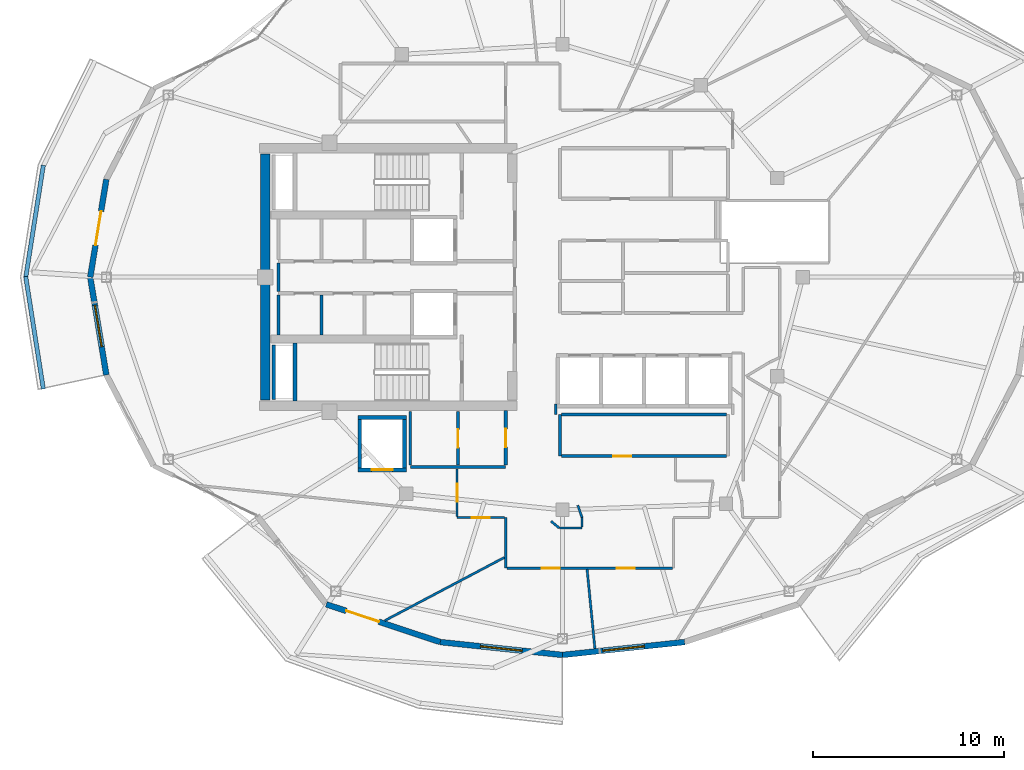
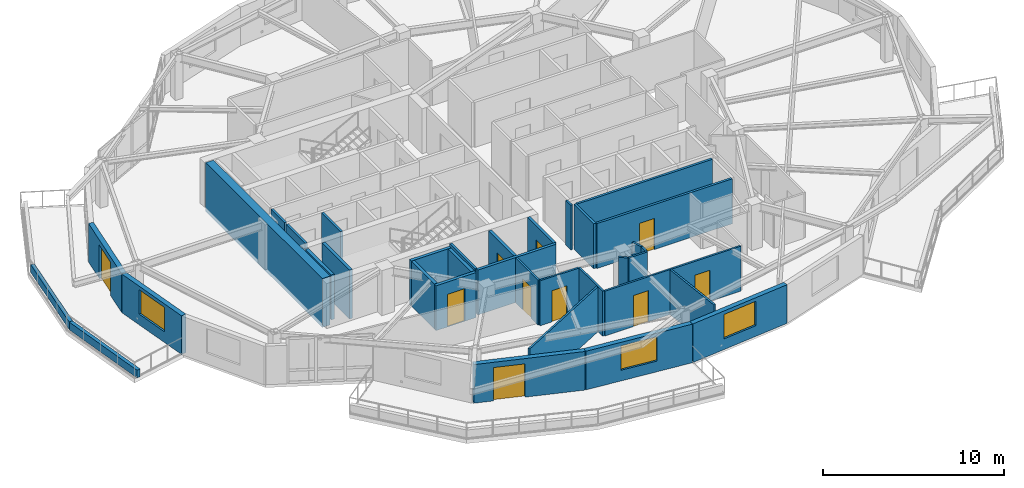
# One storey, part 6 of 14: 35 walls, 10 doors, 3 windows, 13 openings.
"""IFC4 building model written with IfcOpenShell, lengths in metres."""

from ifc_helpers import new_model, si_unit, direction, frame, frame_2d, origin, place, context, subcontext, project, spatial, rectangle, extrude, material, layer, layer_set, type_object, element, fill, save


model = new_model("IFC4")

# Units and contexts
model_context = context("Model", 3, precision=1e-05, world=origin(), true_north=direction((0.0, 1.0)))
body_context = subcontext(model_context, "Body", "Model", "MODEL_VIEW")
ifc_project = project(units=[si_unit("LENGTHUNIT", "METRE"), si_unit("AREAUNIT", "SQUARE_METRE"), si_unit("VOLUMEUNIT", "CUBIC_METRE"), si_unit("PLANEANGLEUNIT", "RADIAN"), si_unit("MASSUNIT", "GRAM", prefix="KILO")], contexts=[model_context])

# Site, building, storey
site_placement = place(None, origin())
site = spatial("IfcSite", under=ifc_project, at=site_placement, CompositionType="ELEMENT")
building_placement = place(site_placement, origin())
building = spatial("IfcBuilding", under=site, at=building_placement, Name="Kolvaren Gate Tower and Convention Centre", CompositionType="ELEMENT")
storey_placement = place(building_placement, frame((0.0, 0.0, 206.300048828125)))
storey = spatial("IfcBuildingStorey", under=building, at=storey_placement, Name="L54", CompositionType="ELEMENT", Elevation=206.300048828125)

# Wall
ifc_material_1 = material(Name="Autoclaved Aerated Masonry Blockwork Class 4 (4.0 MPa)", Category="masonry")
ifc_layer_1 = layer(ifc_material_1, 0.179931640625)
ifc_layer_set_1 = layer_set([ifc_layer_1], Name="Autoclaved Aerated Masonry Blockwork Class 4 (4.0 MPa)")
wall_type_1 = type_object("IfcWallType", Name="ARCH-WL-COMP-180", PredefinedType="SOLIDWALL", material=ifc_layer_set_1)
wall_1_placement = place(storey_placement, frame((22.14990234375, 17.050048828125, 0.0), z_axis=(0.0, 0.0, 1.0), x_axis=(1.0, 0.0, 0.0)))
element("IfcWall", 1, at=wall_1_placement, inside=storey, type_object=wall_type_1, Name="Interior Partition WL-L54-INT-011", PredefinedType="SOLIDWALL", context=body_context, shape_type="SweptSolid", body=[
    extrude(rectangle(XDim=5.0, YDim=0.179931640625, at=frame_2d((2.5, 0.0))), origin(), (0.0, 0.0, 1.0), 3.030029296875),
])

# Wall, opening, door
wall_2_placement = place(storey_placement, frame((24.64990234375, 17.14208984375, 0.0), z_axis=(0.0, 0.0, 1.0), x_axis=(0.0, 1.0, 0.0)))
wall_2 = element("IfcWall", 2, at=wall_2_placement, inside=storey, type_object=wall_type_1, Name="Interior Partition WL-L54-INT-013", PredefinedType="SOLIDWALL", context=body_context, shape_type="SweptSolid", body=[
    extrude(rectangle(XDim=2.807861328125, YDim=0.179931640625, at=frame_2d((1.40380859375, 0.0))), origin(), (0.0, 0.0, 1.0), 3.030029296875),
])
opening_1_placement = place(wall_2_placement, frame((0.928955078125, 0.0, 0.0)))
opening_1 = element("IfcOpeningElement", 3, at=opening_1_placement, cuts=wall_2, Name="Opening DR-01", PredefinedType="OPENING", context=body_context, shape_type="SweptSolid", body=[
    extrude(rectangle(XDim=0.949951171875, YDim=2.10009765625, at=frame_2d((0.47509765625, 1.050048828125))), frame((0.0, 0.099853515625, 0.0), z_axis=(0.0, -1.0, 0.0), x_axis=(1.0, 0.0, 0.0)), (0.0, 0.0, 1.0), 0.199951171875),
])
ifc_material_2 = material(Name="Painted Architectural Steelwork ASTM A500 Grade C 345 MPa", Category="steel")
door_type_1 = type_object("IfcDoorType", Name="ARCH-DR-RISER-950", OperationType="SINGLE_SWING_RIGHT", PredefinedType="DOOR", material=ifc_material_2)
door_1_placement = place(opening_1_placement, origin())
door_1 = element("IfcDoor", 4, at=door_1_placement, inside=storey, type_object=door_type_1, Name="West Valet Store Door", OperationType="SINGLE_SWING_LEFT", OverallHeight=2.10009765625, OverallWidth=0.949951171875, PredefinedType="DOOR", context=body_context, shape_type="SweptSolid", body=[
    extrude(rectangle(XDim=0.949951171875, YDim=2.10009765625, at=frame_2d((0.47509765625, 1.050048828125))), frame((0.0, 0.02490234375, 0.0), z_axis=(0.0, -1.0, 0.0), x_axis=(1.0, 0.0, 0.0)), (0.0, 0.0, 1.0), 0.050048828125),
])
fill(opening_1, door_1)

wall_3_placement = place(storey_placement, frame((27.14990234375, 17.14208984375, 0.0), z_axis=(0.0, 0.0, 1.0), x_axis=(0.0, 1.0, 0.0)))
wall_3 = element("IfcWall", 5, at=wall_3_placement, inside=storey, type_object=wall_type_1, Name="Interior Partition WL-L54-INT-015", PredefinedType="SOLIDWALL", context=body_context, shape_type="SweptSolid", body=[
    extrude(rectangle(XDim=2.85595703125, YDim=0.179931640625, at=frame_2d((1.427978515625, 0.0))), origin(), (0.0, 0.0, 1.0), 3.030029296875),
])
opening_2_placement = place(wall_3_placement, frame((0.952880859375, 0.0, 0.0)))
opening_2 = element("IfcOpeningElement", 6, at=opening_2_placement, cuts=wall_3, Name="Opening DR-01", PredefinedType="OPENING", context=body_context, shape_type="SweptSolid", body=[
    extrude(rectangle(XDim=0.949951171875, YDim=2.10009765625, at=frame_2d((0.47509765625, 1.050048828125))), frame((0.0, 0.099853515625, 0.0), z_axis=(0.0, -1.0, 0.0), x_axis=(1.0, 0.0, 0.0)), (0.0, 0.0, 1.0), 0.199951171875),
])
door_2_placement = place(opening_2_placement, origin())
door_2 = element("IfcDoor", 7, at=door_2_placement, inside=storey, type_object=door_type_1, Name="Metering Switch Room Door", OperationType="SINGLE_SWING_LEFT", OverallHeight=2.10009765625, OverallWidth=0.949951171875, PredefinedType="DOOR", context=body_context, shape_type="SweptSolid", body=[
    extrude(rectangle(XDim=0.949951171875, YDim=2.10009765625, at=frame_2d((0.47509765625, 1.050048828125))), frame((0.0, 0.02490234375, 0.0), z_axis=(0.0, -1.0, 0.0), x_axis=(1.0, 0.0, 0.0)), (0.0, 0.0, 1.0), 0.050048828125),
])
fill(opening_2, door_2)

# Wall
ifc_material_3 = material(Name="Fire-Rated Acoustic Gypsum Stud Partition", Category="gypsum")
ifc_layer_2 = layer(ifc_material_3, 0.1201171875)
ifc_layer_set_2 = layer_set([ifc_layer_2], Name="Fire-Rated Acoustic Gypsum Stud Partition")
wall_type_2 = type_object("IfcWallType", Name="ARCH-WL-PART-120", PredefinedType="PARTITIONING", material=ifc_layer_set_2)
wall_4_placement = place(storey_placement, frame((27.14990234375, 11.75, 0.0), z_axis=(0.0, 0.0, 1.0), x_axis=(0.0, 1.0, 0.0)))
element("IfcWall", 8, at=wall_4_placement, inside=storey, type_object=wall_type_2, Name="Interior Partition WL-L54-INT-014", PredefinedType="PARTITIONING", context=body_context, shape_type="SweptSolid", body=[
    extrude(rectangle(XDim=2.64990234375, YDim=0.1201171875, at=frame_2d((1.324951171875, 0.0))), origin(), (0.0, 0.0, 1.0), 3.030029296875),
])

# Wall, opening, door
wall_5_placement = place(storey_placement, frame((24.60009765625, 14.39990234375, 0.0), z_axis=(0.0, 0.0, 1.0), x_axis=(1.0, 0.0, 0.0)))
wall_5 = element("IfcWall", 9, at=wall_5_placement, inside=storey, type_object=wall_type_2, Name="Interior Partition WL-L54-INT-050", PredefinedType="PARTITIONING", context=body_context, shape_type="SweptSolid", body=[
    extrude(rectangle(XDim=2.48779296875, YDim=0.1201171875, at=frame_2d((1.243896484375, 0.0))), origin(), (0.0, 0.0, 1.0), 3.030029296875),
])
opening_3_placement = place(wall_5_placement, frame((0.76904296875, 0.0, 0.0)))
opening_3 = element("IfcOpeningElement", 10, at=opening_3_placement, cuts=wall_5, Name="Opening DR-01", PredefinedType="OPENING", context=body_context, shape_type="SweptSolid", body=[
    extrude(rectangle(XDim=0.949951171875, YDim=2.10009765625, at=frame_2d((0.47509765625, 1.050048828125))), frame((0.0, 0.070068359375, 0.0), z_axis=(0.0, -1.0, 0.0), x_axis=(1.0, 0.0, 0.0)), (0.0, 0.0, 1.0), 0.14013671875),
])
door_3_placement = place(opening_3_placement, origin())
door_3 = element("IfcDoor", 11, at=door_3_placement, inside=storey, type_object=door_type_1, Name="Resident Co-Working Office Door", OperationType="SINGLE_SWING_RIGHT", OverallHeight=2.10009765625, OverallWidth=0.949951171875, PredefinedType="DOOR", context=body_context, shape_type="SweptSolid", body=[
    extrude(rectangle(XDim=0.949951171875, YDim=2.10009765625, at=frame_2d((0.47509765625, 1.050048828125))), frame((0.0, 0.02490234375, 0.0), z_axis=(0.0, -1.0, 0.0), x_axis=(1.0, 0.0, 0.0)), (0.0, 0.0, 1.0), 0.050048828125),
])
fill(opening_3, door_3)

# Wall
wall_6_placement = place(storey_placement, frame((29.780029296875, 19.800048828125, 0.0), z_axis=(0.0, 0.0, 1.0), x_axis=(0.0, 1.0, 0.0)))
element("IfcWall", 12, at=wall_6_placement, inside=storey, type_object=wall_type_2, Name="Interior Partition WL-L54-INT-056", PredefinedType="PARTITIONING", context=body_context, shape_type="SweptSolid", body=[
    extrude(rectangle(XDim=0.56005859375, YDim=0.1201171875, at=frame_2d((0.280029296875, 0.0))), origin(), (0.0, 0.0, 1.0), 3.030029296875),
])

# Wall, openings, doors
wall_7_placement = place(storey_placement, frame((27.2119140625, 11.75, 0.0), z_axis=(0.0, 0.0, 1.0), x_axis=(1.0, 0.0, 0.0)))
wall_7 = element("IfcWall", 13, at=wall_7_placement, inside=storey, type_object=wall_type_2, Name="Interior Partition WL-L54-INT-062", PredefinedType="PARTITIONING", context=body_context, shape_type="SweptSolid", body=[
    extrude(rectangle(XDim=8.676025390625, YDim=0.1201171875, at=frame_2d((4.337890625, 0.0))), origin(), (0.0, 0.0, 1.0), 3.030029296875),
])
opening_4_placement = place(wall_7_placement, frame((1.830078125, 0.0, 0.0)))
opening_4 = element("IfcOpeningElement", 14, at=opening_4_placement, cuts=wall_7, Name="Opening DR-01", PredefinedType="OPENING", context=body_context, shape_type="SweptSolid", body=[
    extrude(rectangle(XDim=0.949951171875, YDim=2.10009765625, at=frame_2d((0.47509765625, 1.050048828125))), frame((0.0, 0.070068359375, 0.0), z_axis=(0.0, -1.0, 0.0), x_axis=(1.0, 0.0, 0.0)), (0.0, 0.0, 1.0), 0.14013671875),
])
opening_5_placement = place(wall_7_placement, frame((5.7568359375, 0.0, 0.0)))
opening_5 = element("IfcOpeningElement", 15, at=opening_5_placement, cuts=wall_7, Name="Opening DR-01", PredefinedType="OPENING", context=body_context, shape_type="SweptSolid", body=[
    extrude(rectangle(XDim=0.949951171875, YDim=2.10009765625, at=frame_2d((0.47509765625, 1.050048828125))), frame((0.0, 0.070068359375, 0.0), z_axis=(0.0, -1.0, 0.0), x_axis=(1.0, 0.0, 0.0)), (0.0, 0.0, 1.0), 0.14013671875),
])
door_4_placement = place(opening_4_placement, origin())
door_4 = element("IfcDoor", 16, at=door_4_placement, inside=storey, type_object=door_type_1, Name="Resident Co-Working Office Door", OperationType="SINGLE_SWING_LEFT", OverallHeight=2.10009765625, OverallWidth=0.949951171875, PredefinedType="DOOR", context=body_context, shape_type="SweptSolid", body=[
    extrude(rectangle(XDim=0.949951171875, YDim=2.10009765625, at=frame_2d((0.47509765625, 1.050048828125))), frame((0.0, 0.02490234375, 0.0), z_axis=(0.0, -1.0, 0.0), x_axis=(1.0, 0.0, 0.0)), (0.0, 0.0, 1.0), 0.050048828125),
])
fill(opening_4, door_4)
door_5_placement = place(opening_5_placement, origin())
door_5 = element("IfcDoor", 17, at=door_5_placement, inside=storey, type_object=door_type_1, Name="Resident Co-Working Office Door", OperationType="SINGLE_SWING_RIGHT", OverallHeight=2.10009765625, OverallWidth=0.949951171875, PredefinedType="DOOR", context=body_context, shape_type="SweptSolid", body=[
    extrude(rectangle(XDim=0.949951171875, YDim=2.10009765625, at=frame_2d((0.47509765625, 1.050048828125))), frame((0.0, 0.02490234375, 0.0), z_axis=(0.0, -1.0, 0.0), x_axis=(1.0, 0.0, 0.0)), (0.0, 0.0, 1.0), 0.050048828125),
])
fill(opening_5, door_5)

# Wall, opening, door
wall_8_placement = place(storey_placement, frame((24.60009765625, 14.4619140625, 0.0), z_axis=(0.0, 0.0, 1.0), x_axis=(0.0, 1.0, 0.0)))
wall_8 = element("IfcWall", 18, at=wall_8_placement, inside=storey, type_object=wall_type_2, Name="Interior Partition WL-L54-INT-063", PredefinedType="PARTITIONING", context=body_context, shape_type="SweptSolid", body=[
    extrude(rectangle(XDim=2.49609375, YDim=0.1201171875, at=frame_2d((1.248046875, 0.0))), origin(), (0.0, 0.0, 1.0), 3.030029296875),
])
opening_6_placement = place(wall_8_placement, frame((0.77294921875, 0.0, 0.0)))
opening_6 = element("IfcOpeningElement", 19, at=opening_6_placement, cuts=wall_8, Name="Opening DR-01", PredefinedType="OPENING", context=body_context, shape_type="SweptSolid", body=[
    extrude(rectangle(XDim=0.949951171875, YDim=2.10009765625, at=frame_2d((0.47509765625, 1.050048828125))), frame((0.0, 0.070068359375, 0.0), z_axis=(0.0, -1.0, 0.0), x_axis=(1.0, 0.0, 0.0)), (0.0, 0.0, 1.0), 0.14013671875),
])
door_6_placement = place(opening_6_placement, origin())
door_6 = element("IfcDoor", 20, at=door_6_placement, inside=storey, type_object=door_type_1, Name="Resident Private Study and Home Office Door", OperationType="SINGLE_SWING_RIGHT", OverallHeight=2.10009765625, OverallWidth=0.949951171875, PredefinedType="DOOR", context=body_context, shape_type="SweptSolid", body=[
    extrude(rectangle(XDim=0.949951171875, YDim=2.10009765625, at=frame_2d((0.47509765625, 1.050048828125))), frame((0.0, 0.02490234375, 0.0), z_axis=(0.0, -1.0, 0.0), x_axis=(1.0, 0.0, 0.0)), (0.0, 0.0, 1.0), 0.050048828125),
])
fill(opening_6, door_6)

# Walls
wall_9_placement = place(storey_placement, frame((29.9599609375, 13.85009765625, 0.0), z_axis=(0.0, 0.0, 1.0), x_axis=(1.0, 0.0, 0.0)))
element("IfcWall", 21, at=wall_9_placement, inside=storey, type_object=wall_type_2, Name="Interior Partition WL-L54-INT-064", PredefinedType="PARTITIONING", context=body_context, shape_type="SweptSolid", body=[
    extrude(rectangle(XDim=1.18994140625, YDim=0.1201171875, at=frame_2d((0.594970703125, 0.0))), origin(), (0.0, 0.0, 1.0), 3.030029296875),
])
wall_10_placement = place(storey_placement, frame((31.14990234375, 13.912109375, 0.0), z_axis=(0.0, 0.0, 1.0), x_axis=(0.0, 1.0, 0.0)))
element("IfcWall", 22, at=wall_10_placement, inside=storey, type_object=wall_type_2, Name="Interior Partition WL-L54-INT-065", PredefinedType="PARTITIONING", context=body_context, shape_type="SweptSolid", body=[
    extrude(rectangle(XDim=0.48779296875, YDim=0.1201171875, at=frame_2d((0.243896484375, 0.0))), origin(), (0.0, 0.0, 1.0), 3.030029296875),
])
wall_11_placement = place(storey_placement, frame((30.928955078125, 15.0439453125, 0.0), z_axis=(0.0, 0.0, 1.0), x_axis=(0.324498492416, -0.945886213252, 0.0)))
element("IfcWall", 23, at=wall_11_placement, inside=storey, type_object=wall_type_2, Name="Interior Partition WL-L54-INT-066", PredefinedType="PARTITIONING", context=body_context, shape_type="SweptSolid", body=[
    extrude(rectangle(XDim=0.680908203125, YDim=0.1201171875, at=frame_2d((0.34033203125, 0.0))), origin(), (0.0, 0.0, 1.0), 3.030029296875),
])
wall_12_placement = place(storey_placement, frame((29.531005859375, 14.2060546875, 0.0), z_axis=(0.0, 0.0, 1.0), x_axis=(0.7695479554, -0.638589026166, 0.0)))
element("IfcWall", 24, at=wall_12_placement, inside=storey, type_object=wall_type_2, Name="Interior Partition WL-L54-INT-067", PredefinedType="PARTITIONING", context=body_context, shape_type="SweptSolid", body=[
    extrude(rectangle(XDim=0.557373046875, YDim=0.1201171875, at=frame_2d((0.27880859375, 0.0))), origin(), (0.0, 0.0, 1.0), 3.030029296875),
])
wall_13_placement = place(storey_placement, frame((20.81298828125, 8.997802734375, 0.0), z_axis=(0.0, 0.0, 1.0), x_axis=(0.884227698582, 0.467056074856, 0.0)))
element("IfcWall", 25, at=wall_13_placement, inside=storey, type_object=wall_type_2, Name="Interior Partition WL-L54-INT-069", PredefinedType="PARTITIONING", context=body_context, shape_type="SweptSolid", body=[
    extrude(rectangle(XDim=7.096435546875, YDim=0.1201171875, at=frame_2d((3.54833984375, 0.0))), origin(), (0.0, 0.0, 1.0), 3.030029296875),
])
wall_14_placement = place(storey_placement, frame((31.4169921875, 11.68798828125, 0.0), z_axis=(0.0, 0.0, 1.0), x_axis=(0.097923390467, -0.995193955769, 0.0)))
element("IfcWall", 26, at=wall_14_placement, inside=storey, type_object=wall_type_2, Name="Interior Partition WL-L54-INT-071", PredefinedType="PARTITIONING", context=body_context, shape_type="SweptSolid", body=[
    extrude(rectangle(XDim=4.176025390625, YDim=0.1201171875, at=frame_2d((2.087890625, 0.0))), origin(), (0.0, 0.0, 1.0), 3.030029296875),
])
ifc_material_4 = material(Name="Piedmont Cream Honed Limestone Cladding", Category="masonry")
ifc_layer_3 = layer(ifc_material_4, 0.219970703125)
ifc_layer_set_3 = layer_set([ifc_layer_3], Name="Piedmont Cream Honed Limestone Cladding")
wall_type_3 = type_object("IfcWallType", Name="ARCH-WL-PLANTER-220", PredefinedType="PARAPET", material=ifc_layer_set_3)
for number, where, z_axis, x_axis, name in (
    (27, (1.993408203125, 26.970703125, 0.0), (0.0, 0.0, 1.0), (0.1550711793, 0.987903299595, 0.0), "Vertical-Forest Balcony Stone Planter Kerb PK-L54-2.2"),
    (28, (1.993408203125, 27.029296875, 0.0), (0.0, 0.0, 1.0), (0.1550711793, -0.987903299595, 0.0), "Vertical-Forest Balcony Stone Planter Kerb PK-L54-2.3"),
):
    element("IfcWall", number, at=place(storey_placement, frame(where, z_axis=z_axis, x_axis=x_axis)), inside=storey, type_object=wall_type_3, Name=name, PredefinedType="PARAPET", context=body_context, shape_type="SweptSolid", body=[
        extrude(rectangle(XDim=5.963623046875, YDim=0.219970703125, at=frame_2d((2.98193359375, 0.0))), origin(), (0.0, 0.0, 1.0), 0.52001953125),
    ])
ifc_layer_4 = layer(ifc_material_1, 0.199951171875)
ifc_layer_set_4 = layer_set([ifc_layer_4], Name="Autoclaved Aerated Masonry Blockwork Class 4 (4.0 MPa)")
wall_type_4 = type_object("IfcWallType", Name="ARCH-WL-SHAFT-200", PredefinedType="SOLIDWALL", material=ifc_layer_set_4)
wall_15_placement = place(storey_placement, frame((19.39990234375, 19.64990234375, 0.0), z_axis=(0.0, 0.0, 1.0), x_axis=(1.0, 0.0, 0.0)))
element("IfcWall", 29, at=wall_15_placement, inside=storey, type_object=wall_type_4, Name="Elevator SV-01 L54 Fire Shaft Wall N", PredefinedType="SOLIDWALL", context=body_context, shape_type="SweptSolid", body=[
    extrude(rectangle(XDim=2.550048828125, YDim=0.199951171875, at=frame_2d((1.27490234375, 0.0))), origin(), (0.0, 0.0, 1.0), 3.030029296875),
])

# Wall, opening, door
wall_16_placement = place(storey_placement, frame((19.39990234375, 16.89990234375, 0.0), z_axis=(0.0, 0.0, 1.0), x_axis=(1.0, 0.0, 0.0)))
wall_16 = element("IfcWall", 30, at=wall_16_placement, inside=storey, type_object=wall_type_4, Name="Elevator SV-01 L54 Fire Shaft Wall S", PredefinedType="SOLIDWALL", context=body_context, shape_type="SweptSolid", body=[
    extrude(rectangle(XDim=2.550048828125, YDim=0.199951171875, at=frame_2d((1.27490234375, 0.0))), origin(), (0.0, 0.0, 1.0), 3.030029296875),
])
opening_7_placement = place(wall_16_placement, frame((0.72509765625, 0.0, 0.0)))
opening_7 = element("IfcOpeningElement", 31, at=opening_7_placement, cuts=wall_16, Name="Opening LD", PredefinedType="OPENING", context=body_context, shape_type="SweptSolid", body=[
    extrude(rectangle(XDim=1.10009765625, YDim=2.199951171875, at=frame_2d((0.550048828125, 1.10009765625))), frame((0.0, 0.10986328125, 0.0), z_axis=(0.0, -1.0, 0.0), x_axis=(1.0, 0.0, 0.0)), (0.0, 0.0, 1.0), 0.219970703125),
])
ifc_material_5 = material(Name="Brushed Stainless Steel Grade 316L", Category="steel")
door_type_2 = type_object("IfcDoorType", Name="ARCH-DR-LIFT-1100", OperationType="SLIDING_TO_LEFT", PredefinedType="DOOR", material=ifc_material_5)
door_7_placement = place(opening_7_placement, origin())
door_7 = element("IfcDoor", 32, at=door_7_placement, inside=storey, type_object=door_type_2, Name="Elevator SV-01 L54 Sliding Landing Door", OperationType="SLIDING_TO_LEFT", OverallHeight=2.199951171875, OverallWidth=1.10009765625, PredefinedType="DOOR", context=body_context, shape_type="SweptSolid", body=[
    extrude(rectangle(XDim=1.10009765625, YDim=2.199951171875, at=frame_2d((0.550048828125, 1.10009765625))), frame((0.0, 0.02490234375, 0.0), z_axis=(0.0, -1.0, 0.0), x_axis=(1.0, 0.0, 0.0)), (0.0, 0.0, 1.0), 0.050048828125),
])
fill(opening_7, door_7)

# Walls
for number, where, z_axis, x_axis, name in (
    (33, (19.5, 17.010009765625, 0.0), (0.0, 0.0, 1.0), (0.0, 1.0, 0.0), "Elevator SV-01 L54 Fire Shaft Wall W"),
    (34, (21.85009765625, 17.010009765625, 0.0), (0.0, 0.0, 1.0), (0.0, 1.0, 0.0), "Elevator SV-01 L54 Fire Shaft Wall E"),
):
    element("IfcWall", number, at=place(storey_placement, frame(where, z_axis=z_axis, x_axis=x_axis)), inside=storey, type_object=wall_type_4, Name=name, PredefinedType="SOLIDWALL", context=body_context, shape_type="SweptSolid", body=[
        extrude(rectangle(XDim=2.530029296875, YDim=0.199951171875, at=frame_2d((1.26513671875, 0.0))), origin(), (0.0, 0.0, 1.0), 3.030029296875),
    ])
wall_17_placement = place(storey_placement, frame((14.989990234375, 20.60009765625, 0.0), z_axis=(0.0, 0.0, 1.0), x_axis=(0.0, 1.0, 0.0)))
element("IfcWall", 35, at=wall_17_placement, inside=storey, type_object=wall_type_4, Name="Vertical Shaft MPR L54 EI-120 Enclosure Wall W", PredefinedType="SOLIDWALL", context=body_context, shape_type="SweptSolid", body=[
    extrude(rectangle(XDim=2.849853515625, YDim=0.199951171875, at=frame_2d((1.4248046875, 0.0))), origin(), (0.0, 0.0, 1.0), 3.030029296875),
])

# Wall, opening, door
ifc_layer_5 = layer(ifc_material_4, 0.300048828125)
ifc_layer_set_5 = layer_set([ifc_layer_5], Name="Piedmont Cream Honed Limestone Cladding")
wall_type_5 = type_object("IfcWallType", Name="ARCH-WL-STONE-300", PredefinedType="SOLIDWALL", material=ifc_layer_set_5)
wall_18_placement = place(storey_placement, frame((5.375, 27.0, 0.0), z_axis=(0.0, 0.0, 1.0), x_axis=(0.16237087798, 0.986729799886, 0.0)))
wall_18 = element("IfcWall", 36, at=wall_18_placement, inside=storey, type_object=wall_type_5, Name="Tower L54 Honed Stone Spandrel Wall EW-11", PredefinedType="SOLIDWALL", context=body_context, shape_type="SweptSolid", body=[
    extrude(rectangle(XDim=5.193359375, YDim=0.300048828125, at=frame_2d((2.5966796875, 0.0))), origin(), (0.0, 0.0, 1.0), 2.60498046875),
])
opening_8_placement = place(wall_18_placement, frame((1.697021484375, 0.0, 0.0)))
opening_8 = element("IfcOpeningElement", 37, at=opening_8_placement, cuts=wall_18, Name="Opening DB-01", PredefinedType="OPENING", context=body_context, shape_type="SweptSolid", body=[
    extrude(rectangle(XDim=1.800048828125, YDim=2.25, at=frame_2d((0.89990234375, 1.125))), frame((0.0, 0.159912109375, 0.0), z_axis=(0.0, -1.0, 0.0), x_axis=(1.0, 0.0, 0.0)), (0.0, 0.0, 1.0), 0.320068359375),
])
ifc_material_6 = material(Name="Anodized Architectural Aluminium Alloy 6063-T6", Category="aluminium")
door_type_3 = type_object("IfcDoorType", Name="ARCH-DR-BALC-1800", OperationType="SLIDING_TO_LEFT", PredefinedType="DOOR", material=ifc_material_6)
door_8_placement = place(opening_8_placement, origin())
door_8 = element("IfcDoor", 38, at=door_8_placement, inside=storey, type_object=door_type_3, Name="Planted Sky Terrace Access Door DB-L54-11", OperationType="SLIDING_TO_LEFT", OverallHeight=2.25, OverallWidth=1.800048828125, PredefinedType="DOOR", context=body_context, shape_type="SweptSolid", body=[
    extrude(rectangle(XDim=1.800048828125, YDim=2.25, at=frame_2d((0.89990234375, 1.125))), frame((0.0, 0.02490234375, 0.0), z_axis=(0.0, -1.0, 0.0), x_axis=(1.0, 0.0, 0.0)), (0.0, 0.0, 1.0), 0.050048828125),
])
fill(opening_8, door_8)

# Wall, opening, window
wall_19_placement = place(storey_placement, frame((5.375, 27.0, 0.0), z_axis=(0.0, 0.0, 1.0), x_axis=(0.16237087798, -0.986729799886, 0.0)))
wall_19 = element("IfcWall", 39, at=wall_19_placement, inside=storey, type_object=wall_type_5, Name="Tower L54 Honed Stone Spandrel Wall EW-12", PredefinedType="SOLIDWALL", context=body_context, shape_type="SweptSolid", body=[
    extrude(rectangle(XDim=5.193359375, YDim=0.300048828125, at=frame_2d((2.5966796875, 0.0))), origin(), (0.0, 0.0, 1.0), 2.60498046875),
])
opening_9_placement = place(wall_19_placement, frame((1.4970703125, 0.0, 0.719970703125)))
opening_9 = element("IfcOpeningElement", 40, at=opening_9_placement, cuts=wall_19, Name="Opening W-03", PredefinedType="OPENING", context=body_context, shape_type="SweptSolid", body=[
    extrude(rectangle(XDim=2.199951171875, YDim=1.64990234375, at=frame_2d((1.10009765625, 0.824951171875))), frame((0.0, 0.159912109375, 0.0), z_axis=(0.0, -1.0, 0.0), x_axis=(1.0, 0.0, 0.0)), (0.0, 0.0, 1.0), 0.320068359375),
])
ifc_material_7 = material(Name="Low-E Triple Insulated Glazing Unit 44 mm", Category="glass")
window_type = type_object("IfcWindowType", Name="ARCH-WN-RES-2200", PartitioningType="SINGLE_PANEL", PredefinedType="WINDOW", material=ifc_material_7)
window_1_placement = place(opening_9_placement, origin())
window_1 = element("IfcWindow", 41, at=window_1_placement, inside=storey, type_object=window_type, Name="Tower L54 Punched Stone Facade Window W-12", OverallHeight=1.64990234375, OverallWidth=2.199951171875, PartitioningType="SINGLE_PANEL", PredefinedType="WINDOW", context=body_context, shape_type="SweptSolid", body=[
    extrude(rectangle(XDim=2.199951171875, YDim=1.64990234375, at=frame_2d((1.10009765625, 0.824951171875))), frame((0.0, 0.030029296875, 0.0), z_axis=(0.0, -1.0, 0.0), x_axis=(1.0, 0.0, 0.0)), (0.0, 0.0, 1.0), 0.06005859375),
])
fill(opening_9, window_1)

# Wall, opening, door
wall_20_placement = place(storey_placement, frame((17.75, 9.852783203125, 0.0), z_axis=(0.0, 0.0, 1.0), x_axis=(0.949240877604, -0.314550085495, 0.0)))
wall_20 = element("IfcWall", 42, at=wall_20_placement, inside=storey, type_object=wall_type_5, Name="Tower L54 Honed Stone Spandrel Wall EW-16", PredefinedType="SOLIDWALL", context=body_context, shape_type="SweptSolid", body=[
    extrude(rectangle(XDim=6.288330078125, YDim=0.300048828125, at=frame_2d((3.14404296875, 0.0))), origin(), (0.0, 0.0, 1.0), 2.60498046875),
])
opening_10_placement = place(wall_20_placement, frame((1.10009765625, 0.0, 0.0)))
opening_10 = element("IfcOpeningElement", 43, at=opening_10_placement, cuts=wall_20, Name="Opening DB-01", PredefinedType="OPENING", context=body_context, shape_type="SweptSolid", body=[
    extrude(rectangle(XDim=1.800048828125, YDim=2.25, at=frame_2d((0.89990234375, 1.125))), frame((0.0, 0.159912109375, 0.0), z_axis=(0.0, -1.0, 0.0), x_axis=(1.0, 0.0, 0.0)), (0.0, 0.0, 1.0), 0.320068359375),
])
door_9_placement = place(opening_10_placement, frame((1.800048828125, 0.0, 0.0), z_axis=(0.0, 0.0, 1.0), x_axis=(-1.0, 0.0, 0.0)))
door_9 = element("IfcDoor", 44, at=door_9_placement, inside=storey, type_object=door_type_3, Name="Planted Sky Terrace Access Door DB-L54-16", OperationType="SLIDING_TO_LEFT", OverallHeight=2.25, OverallWidth=1.800048828125, PredefinedType="DOOR", context=body_context, shape_type="SweptSolid", body=[
    extrude(rectangle(XDim=1.800048828125, YDim=2.25, at=frame_2d((0.89990234375, 1.125))), frame((0.0, 0.02490234375, 0.0), z_axis=(0.0, -1.0, 0.0), x_axis=(1.0, 0.0, 0.0)), (0.0, 0.0, 1.0), 0.050048828125),
])
fill(opening_10, door_9)

# Wall, opening, window
wall_21_placement = place(storey_placement, frame((23.71923828125, 7.874755859375, 0.0), z_axis=(0.0, 0.0, 1.0), x_axis=(0.994497142298, -0.104763705363, 0.0)))
wall_21 = element("IfcWall", 45, at=wall_21_placement, inside=storey, type_object=wall_type_5, Name="Tower L54 Honed Stone Spandrel Wall EW-17", PredefinedType="SOLIDWALL", context=body_context, shape_type="SweptSolid", body=[
    extrude(rectangle(XDim=6.441162109375, YDim=0.300048828125, at=frame_2d((3.220703125, 0.0))), origin(), (0.0, 0.0, 1.0), 2.60498046875),
])
opening_11_placement = place(wall_21_placement, frame((2.12109375, 0.0, 0.719970703125)))
opening_11 = element("IfcOpeningElement", 46, at=opening_11_placement, cuts=wall_21, Name="Opening W-03", PredefinedType="OPENING", context=body_context, shape_type="SweptSolid", body=[
    extrude(rectangle(XDim=2.199951171875, YDim=1.64990234375, at=frame_2d((1.10009765625, 0.824951171875))), frame((0.0, 0.159912109375, 0.0), z_axis=(0.0, -1.0, 0.0), x_axis=(1.0, 0.0, 0.0)), (0.0, 0.0, 1.0), 0.320068359375),
])
window_2_placement = place(opening_11_placement, origin())
window_2 = element("IfcWindow", 47, at=window_2_placement, inside=storey, type_object=window_type, Name="Tower L54 Punched Stone Facade Window W-17", OverallHeight=1.64990234375, OverallWidth=2.199951171875, PartitioningType="SINGLE_PANEL", PredefinedType="WINDOW", context=body_context, shape_type="SweptSolid", body=[
    extrude(rectangle(XDim=2.199951171875, YDim=1.64990234375, at=frame_2d((1.10009765625, 0.824951171875))), frame((0.0, 0.030029296875, 0.0), z_axis=(0.0, -1.0, 0.0), x_axis=(1.0, 0.0, 0.0)), (0.0, 0.0, 1.0), 0.06005859375),
])
fill(opening_11, window_2)

wall_22_placement = place(storey_placement, frame((30.125, 7.199951171875, 0.0), z_axis=(0.0, 0.0, 1.0), x_axis=(0.994497142298, 0.104763705363, 0.0)))
wall_22 = element("IfcWall", 48, at=wall_22_placement, inside=storey, type_object=wall_type_5, Name="Tower L54 Honed Stone Spandrel Wall EW-18", PredefinedType="SOLIDWALL", context=body_context, shape_type="SweptSolid", body=[
    extrude(rectangle(XDim=6.441162109375, YDim=0.300048828125, at=frame_2d((3.220703125, 0.0))), origin(), (0.0, 0.0, 1.0), 2.60498046875),
])
opening_12_placement = place(wall_22_placement, frame((2.12109375, 0.0, 0.719970703125)))
opening_12 = element("IfcOpeningElement", 49, at=opening_12_placement, cuts=wall_22, Name="Opening W-03", PredefinedType="OPENING", context=body_context, shape_type="SweptSolid", body=[
    extrude(rectangle(XDim=2.199951171875, YDim=1.64990234375, at=frame_2d((1.10009765625, 0.824951171875))), frame((0.0, 0.159912109375, 0.0), z_axis=(0.0, -1.0, 0.0), x_axis=(1.0, 0.0, 0.0)), (0.0, 0.0, 1.0), 0.320068359375),
])
window_3_placement = place(opening_12_placement, origin())
window_3 = element("IfcWindow", 50, at=window_3_placement, inside=storey, type_object=window_type, Name="Tower L54 Punched Stone Facade Window W-18", OverallHeight=1.64990234375, OverallWidth=2.199951171875, PartitioningType="SINGLE_PANEL", PredefinedType="WINDOW", context=body_context, shape_type="SweptSolid", body=[
    extrude(rectangle(XDim=2.199951171875, YDim=1.64990234375, at=frame_2d((1.10009765625, 0.824951171875))), frame((0.0, 0.030029296875, 0.0), z_axis=(0.0, -1.0, 0.0), x_axis=(1.0, 0.0, 0.0)), (0.0, 0.0, 1.0), 0.06005859375),
])
fill(opening_12, window_3)

# Walls
ifc_material_8 = material(Name="Moisture-Resistant Cement-Board Acoustic Partition", Category="gypsum")
ifc_layer_6 = layer(ifc_material_8, 0.14990234375)
ifc_layer_set_6 = layer_set([ifc_layer_6], Name="Moisture-Resistant Cement-Board Acoustic Partition")
wall_type_6 = type_object("IfcWallType", Name="ARCH-WL-WET-150", PredefinedType="PARTITIONING", material=ifc_layer_set_6)
wall_23_placement = place(storey_placement, frame((15.25, 23.9619140625, 0.0), z_axis=(0.0, 0.0, 1.0), x_axis=(0.0, 1.0, 0.0)))
element("IfcWall", 51, at=wall_23_placement, inside=storey, type_object=wall_type_6, Name="Interior Partition WL-L54-INT-006", PredefinedType="PARTITIONING", context=body_context, shape_type="SweptSolid", body=[
    extrude(rectangle(XDim=2.106201171875, YDim=0.14990234375, at=frame_2d((1.05322265625, 0.0))), origin(), (0.0, 0.0, 1.0), 3.030029296875),
])
wall_24_placement = place(storey_placement, frame((15.25, 26.251953125, 0.0), z_axis=(0.0, 0.0, 1.0), x_axis=(0.0, 1.0, 0.0)))
element("IfcWall", 52, at=wall_24_placement, inside=storey, type_object=wall_type_6, Name="Interior Partition WL-L54-INT-006 (2)", PredefinedType="PARTITIONING", context=body_context, shape_type="SweptSolid", body=[
    extrude(rectangle(XDim=1.49609375, YDim=0.14990234375, at=frame_2d((0.748046875, 0.0))), origin(), (0.0, 0.0, 1.0), 3.030029296875),
])
wall_25_placement = place(storey_placement, frame((17.5, 23.9619140625, 0.0), z_axis=(0.0, 0.0, 1.0), x_axis=(0.0, 1.0, 0.0)))
element("IfcWall", 53, at=wall_25_placement, inside=storey, type_object=wall_type_6, Name="Interior Partition WL-L54-INT-009", PredefinedType="PARTITIONING", context=body_context, shape_type="SweptSolid", body=[
    extrude(rectangle(XDim=2.106201171875, YDim=0.14990234375, at=frame_2d((1.05322265625, 0.0))), origin(), (0.0, 0.0, 1.0), 3.030029296875),
])
wall_26_placement = place(storey_placement, frame((22.14990234375, 17.14208984375, 0.0), z_axis=(0.0, 0.0, 1.0), x_axis=(0.0, 1.0, 0.0)))
element("IfcWall", 54, at=wall_26_placement, inside=storey, type_object=wall_type_6, Name="Interior Partition WL-L54-INT-012", PredefinedType="PARTITIONING", context=body_context, shape_type="SweptSolid", body=[
    extrude(rectangle(XDim=2.807861328125, YDim=0.14990234375, at=frame_2d((1.40380859375, 0.0))), origin(), (0.0, 0.0, 1.0), 3.030029296875),
])
wall_27_placement = place(storey_placement, frame((30.0, 17.6201171875, 0.0), z_axis=(0.0, 0.0, 1.0), x_axis=(0.0, 1.0, 0.0)))
element("IfcWall", 55, at=wall_27_placement, inside=storey, type_object=wall_type_6, Name="Interior Partition WL-L54-INT-018", PredefinedType="PARTITIONING", context=body_context, shape_type="SweptSolid", body=[
    extrude(rectangle(XDim=2.179931640625, YDim=0.14990234375, at=frame_2d((1.08984375, 0.0))), origin(), (0.0, 0.0, 1.0), 3.030029296875),
])

# Wall, opening, door
wall_28_placement = place(storey_placement, frame((30.076904296875, 17.6201171875, 0.0), z_axis=(0.0, 0.0, 1.0), x_axis=(1.0, 0.0, 0.0)))
wall_28 = element("IfcWall", 56, at=wall_28_placement, inside=storey, type_object=wall_type_6, Name="Interior Partition WL-L54-INT-032", PredefinedType="PARTITIONING", context=body_context, shape_type="SweptSolid", body=[
    extrude(rectangle(XDim=8.64599609375, YDim=0.14990234375, at=frame_2d((4.322998046875, 0.0))), origin(), (0.0, 0.0, 1.0), 3.030029296875),
])
opening_13_placement = place(wall_28_placement, frame((2.716552734375, 0.0, 0.0)))
opening_13 = element("IfcOpeningElement", 57, at=opening_13_placement, cuts=wall_28, Name="Opening DR-01", PredefinedType="OPENING", context=body_context, shape_type="SweptSolid", body=[
    extrude(rectangle(XDim=0.949951171875, YDim=2.10009765625, at=frame_2d((0.47509765625, 1.050048828125))), frame((0.0, 0.0849609375, 0.0), z_axis=(0.0, -1.0, 0.0), x_axis=(1.0, 0.0, 0.0)), (0.0, 0.0, 1.0), 0.169921875),
])
door_10_placement = place(opening_13_placement, origin())
door_10 = element("IfcDoor", 58, at=door_10_placement, inside=storey, type_object=door_type_1, Name="Resident Luggage Store Door", OperationType="SINGLE_SWING_RIGHT", OverallHeight=2.10009765625, OverallWidth=0.949951171875, PredefinedType="DOOR", context=body_context, shape_type="SweptSolid", body=[
    extrude(rectangle(XDim=0.949951171875, YDim=2.10009765625, at=frame_2d((0.47509765625, 1.050048828125))), frame((0.0, 0.02490234375, 0.0), z_axis=(0.0, -1.0, 0.0), x_axis=(1.0, 0.0, 0.0)), (0.0, 0.0, 1.0), 0.050048828125),
])
fill(opening_13, door_10)

# Walls
wall_29_placement = place(storey_placement, frame((30.076904296875, 19.800048828125, 0.0), z_axis=(0.0, 0.0, 1.0), x_axis=(1.0, 0.0, 0.0)))
element("IfcWall", 59, at=wall_29_placement, inside=storey, type_object=wall_type_6, Name="Interior Partition WL-L54-INT-033", PredefinedType="PARTITIONING", context=body_context, shape_type="SweptSolid", body=[
    extrude(rectangle(XDim=8.64599609375, YDim=0.14990234375, at=frame_2d((4.322998046875, 0.0))), origin(), (0.0, 0.0, 1.0), 3.030029296875),
])
ifc_material_9 = material(Name="Concrete C50/60", Category="concrete")
ifc_layer_7 = layer(ifc_material_9, 0.5)
ifc_layer_set_7 = layer_set([ifc_layer_7], Name="Concrete C50/60")
wall_type_7 = type_object("IfcWallType", Name="STR-WL-CORE-500", PredefinedType="SHEAR", material=ifc_layer_set_7)
wall_30_placement = place(storey_placement, frame((14.550048828125, 20.550048828125, -0.27001953125), z_axis=(0.0, 0.0, 1.0), x_axis=(0.0, 1.0, 0.0)))
element("IfcWall", 60, at=wall_30_placement, inside=storey, type_object=wall_type_7, Name="Tower L54 Offset Core Shear Wall W", PredefinedType="SHEAR", context=body_context, shape_type="SweptSolid", body=[
    extrude(rectangle(XDim=12.89990234375, YDim=0.5, at=frame_2d((6.449951171875, 0.0))), origin(), (0.0, 0.0, 1.0), 3.300048828125),
])
ifc_layer_8 = layer(ifc_material_9, 0.199951171875)
ifc_layer_set_8 = layer_set([ifc_layer_8], Name="Concrete C50/60")
wall_type_8 = type_object("IfcWallType", Name="STR-WL-SHAFT-200", PredefinedType="SHEAR", material=ifc_layer_set_8)
wall_31_placement = place(storey_placement, frame((16.10009765625, 20.501953125, -0.27001953125), z_axis=(0.0, 0.0, 1.0), x_axis=(0.0, 1.0, 0.0)))
element("IfcWall", 61, at=wall_31_placement, inside=storey, type_object=wall_type_8, Name="Tower South Exit Stair ST-T2 L54 Structural Shear Enclosure Wall FAR", PredefinedType="SHEAR", context=body_context, shape_type="SweptSolid", body=[
    extrude(rectangle(XDim=3.0361328125, YDim=0.199951171875, at=frame_2d((1.51806640625, 0.0))), origin(), (0.0, 0.0, 1.0), 3.300048828125),
])

save(model, "model.ifc")
